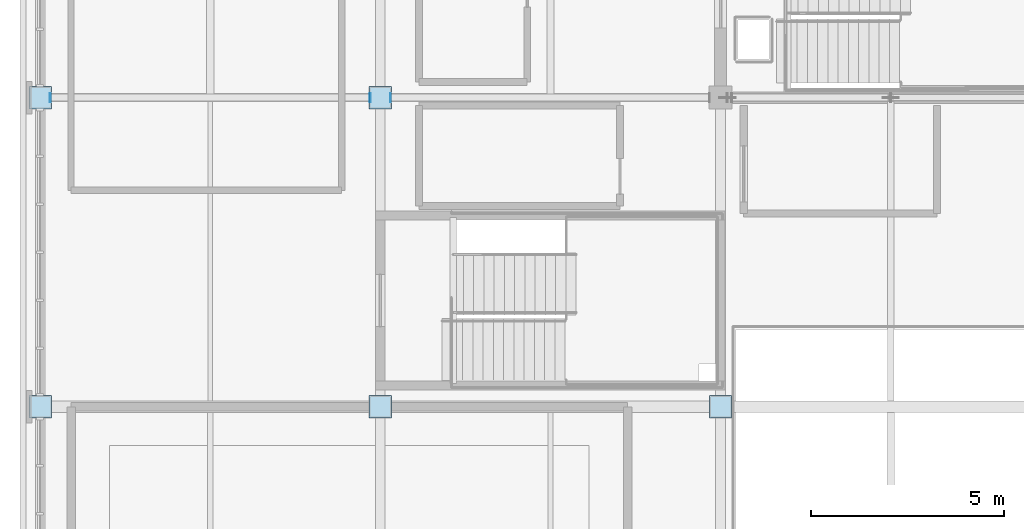
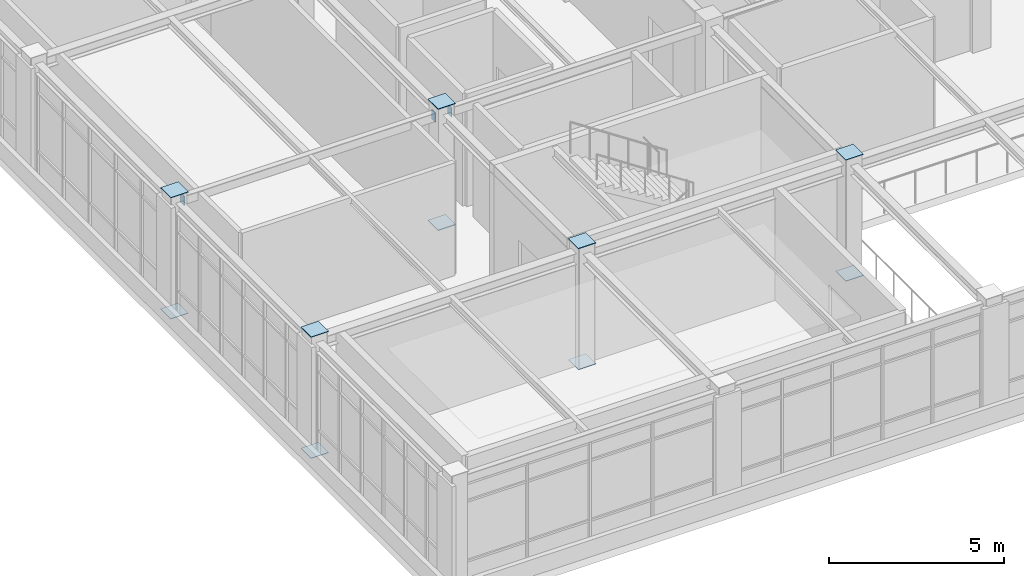
# One storey, part 49 of 88: 13 plates.
"""IFC4 building model written with IfcOpenShell, lengths in metres."""

from ifc_helpers import new_model, si_unit, direction, frame, origin, origin_2d, place, context, subcontext, project, spatial, rectangle, extrude, material, layer, layer_set, type_object, element, save


model = new_model("IFC4")

# Units and contexts
model_context = context("Model", 3, precision=1e-05, world=origin(), true_north=direction((0.0, 1.0)))
body_context = subcontext(model_context, "Body", "Model", "MODEL_VIEW")
ifc_project = project(units=[si_unit("LENGTHUNIT", "METRE"), si_unit("AREAUNIT", "SQUARE_METRE"), si_unit("VOLUMEUNIT", "CUBIC_METRE"), si_unit("PLANEANGLEUNIT", "RADIAN"), si_unit("MASSUNIT", "GRAM", prefix="KILO")], contexts=[model_context])

# Site, building, storey
site_placement = place(None, origin())
site = spatial("IfcSite", under=ifc_project, at=site_placement, CompositionType="ELEMENT")
building_placement = place(site_placement, origin())
building = spatial("IfcBuilding", under=site, at=building_placement, Name="Zhaolan Boulevard Law Courts", CompositionType="ELEMENT")
storey_placement = place(building_placement, frame((0.0, 0.0, 16.199951171875)))
storey = spatial("IfcBuildingStorey", under=building, at=storey_placement, Name="L03", CompositionType="ELEMENT", Elevation=16.199951171875)

# Plates
ifc_material = material(Name="Structural steel Q355B", Category="steel")
ifc_layer = layer(ifc_material, 0.02001953125)
ifc_layer_set = layer_set([ifc_layer])
plate_type = type_object("IfcPlateType", Name="END CAP PLATE 20", PredefinedType="SHEET", material=ifc_layer_set)
for number, where, z_axis, x_axis, name in (
    (1, (0.0, 38.0, -0.01806640625), (0.0, 0.0, 1.0), (1.0, 0.0, 0.0), "Hollow Section End-Cap Plate ECP-0029"),
    (2, (0.0, 38.0, 4.197998046875), (0.0, 0.0, 1.0), (1.0, 0.0, 0.0), "Hollow Section End-Cap Plate ECP-0030"),
    (3, (0.0, 46.0, -0.01806640625), (0.0, 0.0, 1.0), (1.0, 0.0, 0.0), "Hollow Section End-Cap Plate ECP-0051"),
    (4, (0.0, 46.0, 4.197998046875), (0.0, 0.0, 1.0), (1.0, 0.0, 0.0), "Hollow Section End-Cap Plate ECP-0052"),
    (5, (8.800048828125, 38.0, -0.01806640625), (0.0, 0.0, 1.0), (1.0, 0.0, 0.0), "Hollow Section End-Cap Plate ECP-0163"),
    (6, (8.800048828125, 38.0, 4.197998046875), (0.0, 0.0, 1.0), (1.0, 0.0, 0.0), "Hollow Section End-Cap Plate ECP-0164"),
    (7, (8.800048828125, 46.0, -0.01806640625), (0.0, 0.0, 1.0), (1.0, 0.0, 0.0), "Hollow Section End-Cap Plate ECP-0185"),
    (8, (8.800048828125, 46.0, 4.197998046875), (0.0, 0.0, 1.0), (1.0, 0.0, 0.0), "Hollow Section End-Cap Plate ECP-0186"),
    (9, (17.60009765625, 38.0, -0.01806640625), (0.0, 0.0, 1.0), (1.0, 0.0, 0.0), "Hollow Section End-Cap Plate ECP-0297"),
    (10, (17.60009765625, 38.0, 4.197998046875), (0.0, 0.0, 1.0), (1.0, 0.0, 0.0), "Hollow Section End-Cap Plate ECP-0298"),
):
    element("IfcPlate", number, at=place(storey_placement, frame(where, z_axis=z_axis, x_axis=x_axis)), inside=storey, type_object=plate_type, Name=name, PredefinedType="SHEET", context=body_context, shape_type="SweptSolid", body=[
        extrude(rectangle(XDim=0.580078125, YDim=0.580078125, at=origin_2d()), origin(), (0.0, 0.0, 1.0), 0.02001953125),
    ])
for number, where, z_axis, x_axis, name in (
    (11, (0.262939453125, 46.0, 3.633056640625), (0.0, 0.0, 1.0), (1.0, 0.0, 0.0), "Hollow Section End-Cap Plate ECP-0887"),
    (12, (8.537109375, 46.0, 3.633056640625), (0.0, 0.0, 1.0), (1.0, 0.0, 0.0), "Hollow Section End-Cap Plate ECP-0888"),
    (13, (9.06298828125, 46.0, 3.633056640625), (0.0, 0.0, 1.0), (1.0, 0.0, 0.0), "Hollow Section End-Cap Plate ECP-0889"),
):
    element("IfcPlate", number, at=place(storey_placement, frame(where, z_axis=z_axis, x_axis=x_axis)), inside=storey, type_object=plate_type, Name=name, PredefinedType="SHEET", context=body_context, shape_type="SweptSolid", body=[
        extrude(rectangle(XDim=0.02001953125, YDim=0.22998046875, at=origin_2d()), origin(), (0.0, 0.0, 1.0), 0.330078125),
    ])

save(model, "model.ifc")
